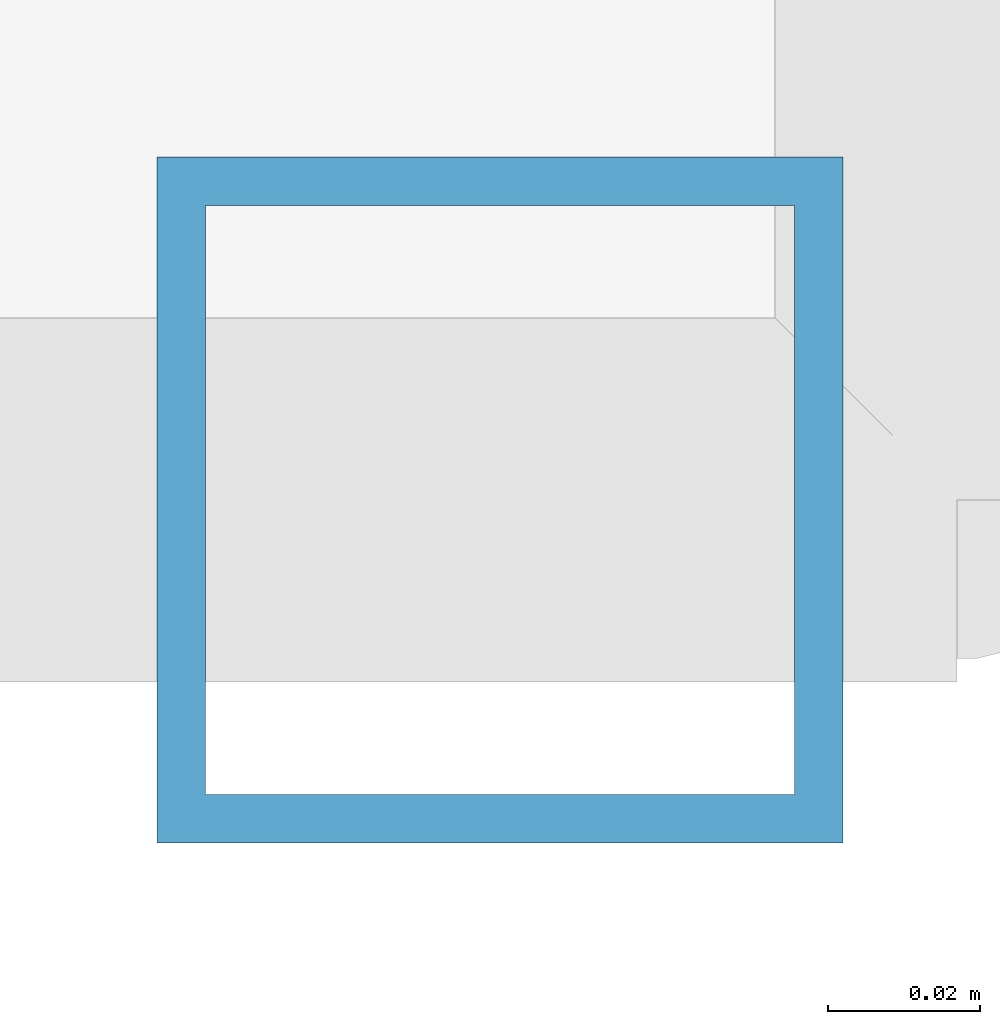
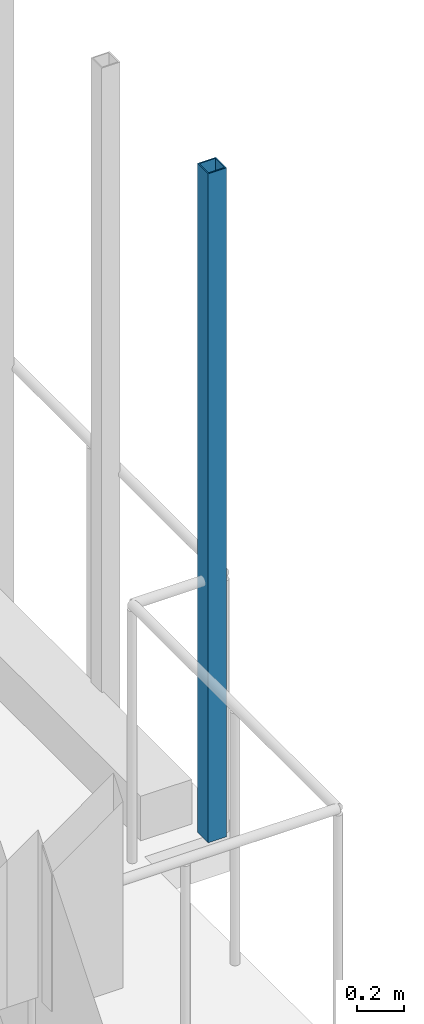
# One storey, part 8 of 73: 1 member.
"""IFC4 building model written with IfcOpenShell, lengths in metres."""

from ifc_helpers import new_model, si_unit, derived_unit, direction, frame, origin, origin_2d, place, context, subcontext, project, spatial, hollow_rectangle, extrude, material, material_profile, profile_set, type_object, element, save


model = new_model("IFC4")

# Units and contexts
model_context = context("Model", 3, precision=1e-05, world=origin(), true_north=direction((0.0, 1.0)))
body_context = subcontext(model_context, "Body", "Model", "MODEL_VIEW")
ifc_project = project(units=[si_unit("LENGTHUNIT", "METRE"), si_unit("AREAUNIT", "SQUARE_METRE"), si_unit("VOLUMEUNIT", "CUBIC_METRE"), si_unit("PLANEANGLEUNIT", "RADIAN"), si_unit("MASSUNIT", "GRAM", prefix="KILO"), derived_unit("THERMALTRANSMITTANCEUNIT", [(si_unit("MASSUNIT", "GRAM", prefix="KILO"), 1), (si_unit("TIMEUNIT", "SECOND"), -3), (si_unit("THERMODYNAMICTEMPERATUREUNIT", "KELVIN"), -1)])], contexts=[model_context])

# Site, building, storey
site_placement = place(None, origin())
site = spatial("IfcSite", under=ifc_project, at=site_placement, CompositionType="ELEMENT")
building_placement = place(site_placement, origin())
building = spatial("IfcBuilding", under=site, at=building_placement, Name="Ochrekiln Boulevard Commons", CompositionType="ELEMENT")
storey_placement = place(building_placement, frame((0.0, 0.0, 4.89990234375)))
storey = spatial("IfcBuildingStorey", under=building, at=storey_placement, Name="L01", CompositionType="ELEMENT", Elevation=4.89990234375)

# Member
ifc_material = material(Name="Steel A500 Grade C", Category="steel")
ifc_material_profile = material_profile(ifc_material, hollow_rectangle(XDim=0.090087890625, YDim=0.090087890625, WallThickness=0.00634765625, at=origin_2d()), Name="HSS90X90X6.4")
ifc_profile_set = profile_set([ifc_material_profile], Name="Steel A500 Grade C")
member_type = type_object("IfcMemberType", Name="MEM-PST-HSS90", PredefinedType="POST", material=ifc_profile_set)
member_placement = place(storey_placement, frame((23.47998046875, 31.5, 0.0), z_axis=(0.0, 0.0, 1.0), x_axis=(1.0, 0.0, 0.0)))
element("IfcMember", 1, at=member_placement, inside=storey, type_object=member_type, Name="Block D L01 Slim Vertical Balcony Post (298)", PredefinedType="POST", context=body_context, shape_type="SweptSolid", body=[
    extrude(hollow_rectangle(XDim=0.090087890625, YDim=0.090087890625, WallThickness=0.00634765625, at=origin_2d()), origin(), (0.0, 0.0, 1.0), 3.455078125),
])

save(model, "model.ifc")
